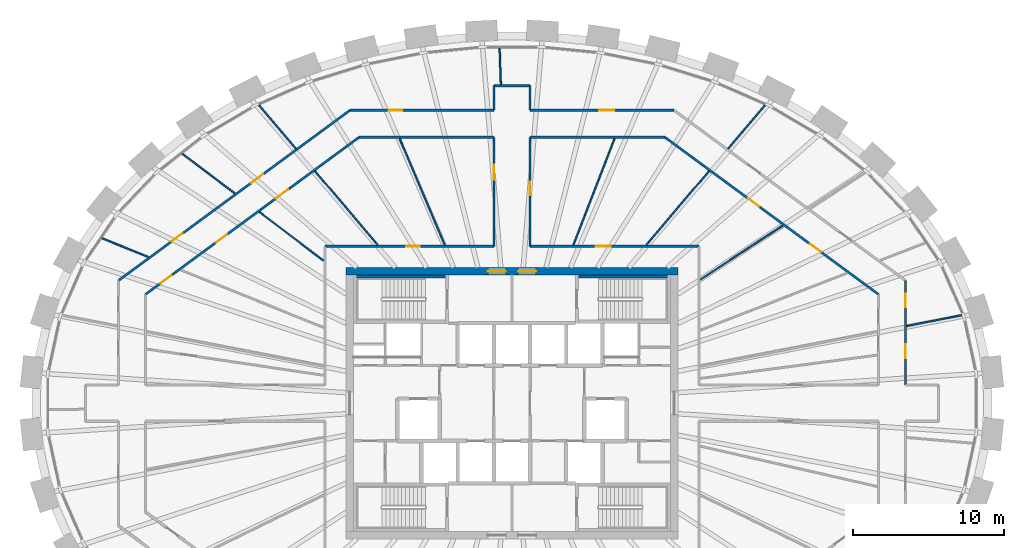
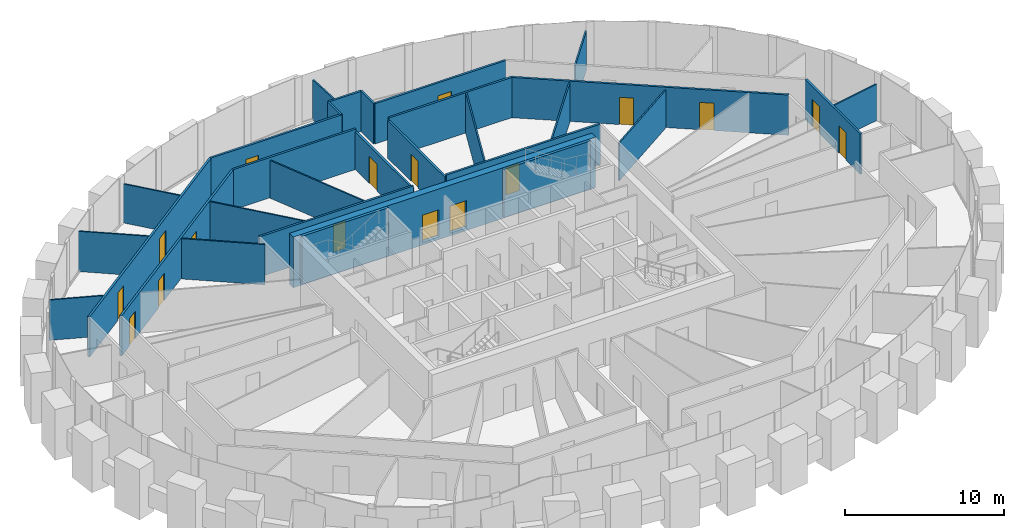
# One storey, part 10 of 12: 30 walls, 17 doors, 17 openings.
"""IFC4 building model written with IfcOpenShell, lengths in metres."""

from ifc_helpers import new_model, si_unit, direction, frame, frame_2d, origin, place, context, subcontext, project, spatial, rectangle, extrude, source, transform, mapped, material, layer, layer_set, type_object, element, fill, save


model = new_model("IFC4")

# Units and contexts
model_context = context("Model", 3, precision=1e-05, world=origin(), true_north=direction((0.0, 1.0)))
body_context = subcontext(model_context, "Body", "Model", "MODEL_VIEW")
ifc_project = project(units=[si_unit("LENGTHUNIT", "METRE"), si_unit("AREAUNIT", "SQUARE_METRE"), si_unit("VOLUMEUNIT", "CUBIC_METRE"), si_unit("PLANEANGLEUNIT", "RADIAN"), si_unit("MASSUNIT", "GRAM", prefix="KILO")], contexts=[model_context])

# Site, building, storey
site_placement = place(None, origin())
site = spatial("IfcSite", under=ifc_project, at=site_placement, CompositionType="ELEMENT")
building_placement = place(site_placement, origin())
building = spatial("IfcBuilding", under=site, at=building_placement, Name="Embergate Tower", CompositionType="ELEMENT")
storey_placement = place(building_placement, frame((0.0, 0.0, 281.199951171875)))
storey = spatial("IfcBuildingStorey", under=building, at=storey_placement, Name="L65", CompositionType="ELEMENT", Elevation=281.199951171875)

# Wall, openings, doors
ifc_material_1 = material(Name="Concrete C50", Category="concrete")
ifc_layer_1 = layer(ifc_material_1, 0.5)
ifc_layer_set_1 = layer_set([ifc_layer_1], Name="Concrete C50")
wall_type_1 = type_object("IfcWallType", Name="Core outer wall C50 500", PredefinedType="SHEAR", material=ifc_layer_set_1)
shared_shape_1 = source(origin(), body_context, "Body", "SweptSolid", [
    extrude(rectangle(XDim=22.0, YDim=0.5, at=frame_2d((11.0, 0.0))), origin(), (0.0, 0.0, 1.0), 3.89990234375),
])
wall_1_placement = place(storey_placement, frame((-11.0, 8.75, -0.199951171875), z_axis=(0.0, 0.0, 1.0), x_axis=(1.0, 0.0, 0.0)))
wall_1 = element("IfcWall", 1, at=wall_1_placement, inside=storey, type_object=wall_type_1, Name="CW-L65-N", PredefinedType="SHEAR", context=body_context, shape_type="MappedRepresentation", body=[
    mapped(shared_shape_1, transform((0.0, 0.0, 0.0))),
])
shared_shape_2 = source(origin(), body_context, "Body", "SweptSolid", [
    extrude(rectangle(XDim=1.199951171875, YDim=2.10009765625, at=frame_2d((0.60009765625, 1.050048828125))), frame((0.0, 0.260009765625, 0.0), z_axis=(0.0, -1.0, 0.0), x_axis=(1.0, 0.0, 0.0)), (0.0, 0.0, 1.0), 0.52001953125),
])
opening_1_placement = place(wall_1_placement, frame((9.39990234375, 0.0, 0.199951171875)))
opening_1 = element("IfcOpeningElement", 2, at=opening_1_placement, cuts=wall_1, Name="Opening IF-1", PredefinedType="OPENING", context=body_context, shape_type="MappedRepresentation", body=[
    mapped(shared_shape_2, transform((0.0, 0.0, 0.0))),
])
opening_2_placement = place(wall_1_placement, frame((11.39990234375, 0.0, 0.199951171875)))
opening_2 = element("IfcOpeningElement", 3, at=opening_2_placement, cuts=wall_1, Name="Opening IF-1", PredefinedType="OPENING", context=body_context, shape_type="MappedRepresentation", body=[
    mapped(shared_shape_2, transform((0.0, 0.0, 0.0))),
])
ifc_material_2 = material(Name="Escape fire door 1200")
door_type_1 = type_object("IfcDoorType", Name="Escape fire door 1200", OperationType="SINGLE_SWING_LEFT", PredefinedType="DOOR", material=ifc_material_2)
shared_shape_3 = source(origin(), body_context, "Body", "SweptSolid", [
    extrude(rectangle(XDim=1.199951171875, YDim=2.10009765625, at=frame_2d((0.60009765625, 1.050048828125))), frame((0.0, 0.02490234375, 0.0), z_axis=(0.0, -1.0, 0.0), x_axis=(1.0, 0.0, 0.0)), (0.0, 0.0, 1.0), 0.050048828125),
])
door_1_placement = place(opening_1_placement, origin())
door_1 = element("IfcDoor", 4, at=door_1_placement, inside=storey, type_object=door_type_1, Name="IF-1 door", OperationType="SINGLE_SWING_LEFT", OverallHeight=2.10009765625, OverallWidth=1.199951171875, PredefinedType="DOOR", context=body_context, shape_type="MappedRepresentation", body=[
    mapped(shared_shape_3, transform((0.0, 0.0, 0.0))),
])
fill(opening_1, door_1)
door_2_placement = place(opening_2_placement, origin())
door_2 = element("IfcDoor", 5, at=door_2_placement, inside=storey, type_object=door_type_1, Name="IF-1 door", OperationType="SINGLE_SWING_RIGHT", OverallHeight=2.10009765625, OverallWidth=1.199951171875, PredefinedType="DOOR", context=body_context, shape_type="MappedRepresentation", body=[
    mapped(shared_shape_3, transform((0.0, 0.0, 0.0))),
])
fill(opening_2, door_2)

# Walls
ifc_layer_2 = layer(ifc_material_1, 0.199951171875)
ifc_layer_set_2 = layer_set([ifc_layer_2], Name="Concrete C50")
wall_type_2 = type_object("IfcWallType", Name="Stair enclosure wall reinforced concrete 250", PredefinedType="SHEAR", material=ifc_layer_set_2)
shared_shape_4 = source(origin(), body_context, "Body", "SweptSolid", [
    extrude(rectangle(XDim=6.298095703125, YDim=0.199951171875, at=frame_2d((3.14892578125, 0.0))), origin(), (0.0, 0.0, 1.0), 3.699951171875),
])
for number, where, z_axis, x_axis, name in (
    (6, (-4.201904296875, 8.39990234375, 0.0), (0.0, 0.0, 1.0), (-1.0, 0.0, 0.0), "SE-1 wall"),
    (7, (10.5, 8.39990234375, 0.0), (0.0, 0.0, 1.0), (-1.0, 0.0, 0.0), "SE-1 wall"),
):
    element("IfcWall", number, at=place(storey_placement, frame(where, z_axis=z_axis, x_axis=x_axis)), inside=storey, type_object=wall_type_2, Name=name, PredefinedType="SHEAR", context=body_context, shape_type="MappedRepresentation", body=[
        mapped(shared_shape_4, transform((0.0, 0.0, 0.0))),
    ])

# Wall, opening, door
ifc_material_3 = material(Name="Corridor wall dry-lined 150 wet")
ifc_layer_3 = layer(ifc_material_3, 0.14990234375)
ifc_layer_set_3 = layer_set([ifc_layer_3], Name="Corridor wall dry-lined 150 wet")
wall_type_3 = type_object("IfcWallType", Name="Corridor wall dry-lined 150 wet", PredefinedType="PLUMBINGWALL", material=ifc_layer_set_3)
shared_shape_5 = source(origin(), body_context, "Body", "SweptSolid", [
    extrude(rectangle(XDim=11.199951171875, YDim=0.14990234375, at=frame_2d((5.60009765625, 0.0))), origin(), (0.0, 0.0, 1.0), 3.10009765625),
])
wall_2_placement = place(storey_placement, frame((12.39990234375, 10.39990234375, 0.0), z_axis=(0.0, 0.0, 1.0), x_axis=(-1.0, 0.0, 0.0)))
wall_2 = element("IfcWall", 8, at=wall_2_placement, inside=storey, type_object=wall_type_3, Name="IP-2 wall", PredefinedType="PLUMBINGWALL", context=body_context, shape_type="MappedRepresentation", body=[
    mapped(shared_shape_5, transform((0.0, 0.0, 0.0))),
])
shared_shape_6 = source(origin(), body_context, "Body", "SweptSolid", [
    extrude(rectangle(XDim=1.0, YDim=2.10009765625, at=frame_2d((0.5, 1.050048828125))), frame((0.0, 0.0849609375, 0.0), z_axis=(0.0, -1.0, 0.0), x_axis=(1.0, 0.0, 0.0)), (0.0, 0.0, 1.0), 0.169921875),
])
opening_3_placement = place(wall_2_placement, frame((5.85400390625, 0.0, 0.0)))
opening_3 = element("IfcOpeningElement", 9, at=opening_3_placement, cuts=wall_2, Name="Opening ID-2", PredefinedType="OPENING", context=body_context, shape_type="MappedRepresentation", body=[
    mapped(shared_shape_6, transform((0.0, 0.0, 0.0))),
])
ifc_material_4 = material(Name="Interior door 1000")
door_type_2 = type_object("IfcDoorType", Name="Interior door 1000", OperationType="SINGLE_SWING_LEFT", PredefinedType="DOOR", material=ifc_material_4)
shared_shape_7 = source(origin(), body_context, "Body", "SweptSolid", [
    extrude(rectangle(XDim=1.0, YDim=2.10009765625, at=frame_2d((0.5, 1.050048828125))), frame((0.0, 0.02490234375, 0.0), z_axis=(0.0, -1.0, 0.0), x_axis=(1.0, 0.0, 0.0)), (0.0, 0.0, 1.0), 0.050048828125),
])
door_3_placement = place(opening_3_placement, origin())
door_3 = element("IfcDoor", 10, at=door_3_placement, inside=storey, type_object=door_type_2, Name="ID-2 door", OperationType="SINGLE_SWING_RIGHT", OverallHeight=2.10009765625, OverallWidth=1.0, PredefinedType="DOOR", context=body_context, shape_type="MappedRepresentation", body=[
    mapped(shared_shape_7, transform((0.0, 0.0, 0.0))),
])
fill(opening_3, door_3)

ifc_material_5 = material(Name="Corridor wall dry-lined 150")
ifc_layer_4 = layer(ifc_material_5, 0.14990234375)
ifc_layer_set_4 = layer_set([ifc_layer_4], Name="Corridor wall dry-lined 150")
wall_type_4 = type_object("IfcWallType", Name="Corridor wall dry-lined 150", PredefinedType="PARTITIONING", material=ifc_layer_set_4)
wall_3_placement = place(storey_placement, frame((-12.39990234375, 10.39990234375, 0.0), z_axis=(0.0, 0.0, 1.0), x_axis=(1.0, 0.0, 0.0)))
wall_3 = element("IfcWall", 11, at=wall_3_placement, inside=storey, type_object=wall_type_4, Name="IP-2 wall", PredefinedType="PARTITIONING", context=body_context, shape_type="MappedRepresentation", body=[
    mapped(shared_shape_5, transform((0.0, 0.0, 0.0))),
])
shared_shape_8 = source(origin(), body_context, "Body", "SweptSolid", [
    extrude(rectangle(XDim=0.89990234375, YDim=2.10009765625, at=frame_2d((0.449951171875, 1.050048828125))), frame((0.0, 0.0849609375, 0.0), z_axis=(0.0, -1.0, 0.0), x_axis=(1.0, 0.0, 0.0)), (0.0, 0.0, 1.0), 0.169921875),
])
opening_4_placement = place(wall_3_placement, frame((5.386962890625, 0.0, 0.0)))
opening_4 = element("IfcOpeningElement", 12, at=opening_4_placement, cuts=wall_3, Name="Opening IF-1c", PredefinedType="OPENING", context=body_context, shape_type="MappedRepresentation", body=[
    mapped(shared_shape_8, transform((0.0, 0.0, 0.0))),
])
ifc_material_6 = material(Name="Escape fire door 900")
door_type_3 = type_object("IfcDoorType", Name="Escape fire door 900", OperationType="SINGLE_SWING_LEFT", PredefinedType="DOOR", material=ifc_material_6)
shared_shape_9 = source(origin(), body_context, "Body", "SweptSolid", [
    extrude(rectangle(XDim=0.89990234375, YDim=2.10009765625, at=frame_2d((0.449951171875, 1.050048828125))), frame((0.0, 0.02490234375, 0.0), z_axis=(0.0, -1.0, 0.0), x_axis=(1.0, 0.0, 0.0)), (0.0, 0.0, 1.0), 0.050048828125),
])
door_4_placement = place(opening_4_placement, origin())
door_4 = element("IfcDoor", 13, at=door_4_placement, inside=storey, type_object=door_type_3, Name="IF-1 door", OperationType="SINGLE_SWING_RIGHT", OverallHeight=2.10009765625, OverallWidth=0.89990234375, PredefinedType="DOOR", context=body_context, shape_type="MappedRepresentation", body=[
    mapped(shared_shape_9, transform((0.0, 0.0, 0.0))),
])
fill(opening_4, door_4)

# Wall
shared_shape_10 = source(origin(), body_context, "Body", "SweptSolid", [
    extrude(rectangle(XDim=2.39990234375, YDim=0.14990234375, at=frame_2d((1.199951171875, 0.0))), origin(), (0.0, 0.0, 1.0), 3.10009765625),
])
wall_4_placement = place(storey_placement, frame((1.199951171875, 21.055908203125, 0.0), z_axis=(0.0, 0.0, 1.0), x_axis=(-1.0, 0.0, 0.0)))
element("IfcWall", 14, at=wall_4_placement, inside=storey, type_object=wall_type_4, Name="IP-2 wall", PredefinedType="PARTITIONING", context=body_context, shape_type="MappedRepresentation", body=[
    mapped(shared_shape_10, transform((0.0, 0.0, 0.0))),
])

# Wall, openings, doors
shared_shape_11 = source(origin(), body_context, "Body", "SweptSolid", [
    extrude(rectangle(XDim=19.072265625, YDim=0.14990234375, at=frame_2d((9.5361328125, 0.0))), origin(), (0.0, 0.0, 1.0), 3.10009765625),
])
wall_5_placement = place(storey_placement, frame((-10.73193359375, 19.428955078125, 0.0), z_axis=(0.0, 0.0, 1.0), x_axis=(-0.805618847725, -0.592434192287, 0.0)))
wall_5 = element("IfcWall", 15, at=wall_5_placement, inside=storey, type_object=wall_type_4, Name="IP-2 wall", PredefinedType="PARTITIONING", context=body_context, shape_type="MappedRepresentation", body=[
    mapped(shared_shape_11, transform((0.0, 0.0, 0.0))),
])
opening_5_placement = place(wall_5_placement, frame((7.153564453125, 0.0, 0.0)))
opening_5 = element("IfcOpeningElement", 16, at=opening_5_placement, cuts=wall_5, Name="Opening ID-2", PredefinedType="OPENING", context=body_context, shape_type="MappedRepresentation", body=[
    mapped(shared_shape_6, transform((0.0, 0.0, 0.0))),
])
opening_6_placement = place(wall_5_placement, frame((13.7861328125, 0.0, 0.0)))
opening_6 = element("IfcOpeningElement", 17, at=opening_6_placement, cuts=wall_5, Name="Opening IF-1c", PredefinedType="OPENING", context=body_context, shape_type="MappedRepresentation", body=[
    mapped(shared_shape_8, transform((0.0, 0.0, 0.0))),
])
door_5_placement = place(opening_6_placement, origin())
door_5 = element("IfcDoor", 18, at=door_5_placement, inside=storey, type_object=door_type_3, Name="IF-1 door", OperationType="SINGLE_SWING_LEFT", OverallHeight=2.10009765625, OverallWidth=0.89990234375, PredefinedType="DOOR", context=body_context, shape_type="MappedRepresentation", body=[
    mapped(shared_shape_9, transform((0.0, 0.0, 0.0))),
])
fill(opening_6, door_5)
door_6_placement = place(opening_5_placement, origin())
door_6 = element("IfcDoor", 19, at=door_6_placement, inside=storey, type_object=door_type_2, Name="ID-2 door", OperationType="SINGLE_SWING_LEFT", OverallHeight=2.10009765625, OverallWidth=1.0, PredefinedType="DOOR", context=body_context, shape_type="MappedRepresentation", body=[
    mapped(shared_shape_7, transform((0.0, 0.0, 0.0))),
])
fill(opening_5, door_6)

# Wall, opening, door
shared_shape_12 = source(origin(), body_context, "Body", "SweptSolid", [
    extrude(rectangle(XDim=9.531982421875, YDim=0.14990234375, at=frame_2d((4.76611328125, 0.0))), origin(), (0.0, 0.0, 1.0), 3.10009765625),
])
wall_6_placement = place(storey_placement, frame((10.73193359375, 19.428955078125, 0.0), z_axis=(0.0, 0.0, 1.0), x_axis=(-1.0, 0.0, 0.0)))
wall_6 = element("IfcWall", 20, at=wall_6_placement, inside=storey, type_object=wall_type_4, Name="IP-2 wall", PredefinedType="PARTITIONING", context=body_context, shape_type="MappedRepresentation", body=[
    mapped(shared_shape_12, transform((0.0, 0.0, 0.0))),
])
opening_7_placement = place(wall_6_placement, frame((3.94921875, 0.0, 0.0)))
opening_7 = element("IfcOpeningElement", 21, at=opening_7_placement, cuts=wall_6, Name="Opening ID-2", PredefinedType="OPENING", context=body_context, shape_type="MappedRepresentation", body=[
    mapped(shared_shape_6, transform((0.0, 0.0, 0.0))),
])
door_7_placement = place(opening_7_placement, origin())
door_7 = element("IfcDoor", 22, at=door_7_placement, inside=storey, type_object=door_type_2, Name="ID-2 door", OperationType="SINGLE_SWING_LEFT", OverallHeight=2.10009765625, OverallWidth=1.0, PredefinedType="DOOR", context=body_context, shape_type="MappedRepresentation", body=[
    mapped(shared_shape_7, transform((0.0, 0.0, 0.0))),
])
fill(opening_7, door_7)

wall_7_placement = place(storey_placement, frame((-1.199951171875, 19.428955078125, 0.0), z_axis=(0.0, 0.0, 1.0), x_axis=(-1.0, 0.0, 0.0)))
wall_7 = element("IfcWall", 23, at=wall_7_placement, inside=storey, type_object=wall_type_4, Name="IP-2 wall", PredefinedType="PARTITIONING", context=body_context, shape_type="MappedRepresentation", body=[
    mapped(shared_shape_12, transform((0.0, 0.0, 0.0))),
])
opening_8_placement = place(wall_7_placement, frame((6.0830078125, 0.0, 0.0)))
opening_8 = element("IfcOpeningElement", 24, at=opening_8_placement, cuts=wall_7, Name="Opening IF-1c", PredefinedType="OPENING", context=body_context, shape_type="MappedRepresentation", body=[
    mapped(shared_shape_8, transform((0.0, 0.0, 0.0))),
])
door_8_placement = place(opening_8_placement, origin())
door_8 = element("IfcDoor", 25, at=door_8_placement, inside=storey, type_object=door_type_3, Name="IF-1 door", OperationType="SINGLE_SWING_LEFT", OverallHeight=2.10009765625, OverallWidth=0.89990234375, PredefinedType="DOOR", context=body_context, shape_type="MappedRepresentation", body=[
    mapped(shared_shape_9, transform((0.0, 0.0, 0.0))),
])
fill(opening_8, door_8)

# Wall, openings, doors
shared_shape_13 = source(origin(), body_context, "Body", "SweptSolid", [
    extrude(rectangle(XDim=17.570068359375, YDim=0.14990234375, at=frame_2d((8.78515625, 0.0))), origin(), (0.0, 0.0, 1.0), 3.10009765625),
])
wall_8_placement = place(storey_placement, frame((10.14208984375, 17.62890625, 0.0), z_axis=(0.0, 0.0, 1.0), x_axis=(0.805628581617, -0.592420955471, 0.0)))
wall_8 = element("IfcWall", 26, at=wall_8_placement, inside=storey, type_object=wall_type_3, Name="IP-2 wall", PredefinedType="PLUMBINGWALL", context=body_context, shape_type="MappedRepresentation", body=[
    mapped(shared_shape_13, transform((0.0, 0.0, 0.0))),
])
opening_9_placement = place(wall_8_placement, frame((11.933349609375, 0.0, 0.0)))
opening_9 = element("IfcOpeningElement", 27, at=opening_9_placement, cuts=wall_8, Name="Opening IF-1c", PredefinedType="OPENING", context=body_context, shape_type="MappedRepresentation", body=[
    mapped(shared_shape_8, transform((0.0, 0.0, 0.0))),
])
opening_10_placement = place(wall_8_placement, frame((6.839111328125, 0.0, 0.0)))
opening_10 = element("IfcOpeningElement", 28, at=opening_10_placement, cuts=wall_8, Name="Opening IF-1c", PredefinedType="OPENING", context=body_context, shape_type="MappedRepresentation", body=[
    mapped(shared_shape_8, transform((0.0, 0.0, 0.0))),
])
door_9_placement = place(opening_9_placement, origin())
door_9 = element("IfcDoor", 29, at=door_9_placement, inside=storey, type_object=door_type_3, Name="IF-1 door", OperationType="SINGLE_SWING_LEFT", OverallHeight=2.10009765625, OverallWidth=0.89990234375, PredefinedType="DOOR", context=body_context, shape_type="MappedRepresentation", body=[
    mapped(shared_shape_9, transform((0.0, 0.0, 0.0))),
])
fill(opening_9, door_9)
door_10_placement = place(opening_10_placement, origin())
door_10 = element("IfcDoor", 30, at=door_10_placement, inside=storey, type_object=door_type_3, Name="IF-1 door", OperationType="SINGLE_SWING_LEFT", OverallHeight=2.10009765625, OverallWidth=0.89990234375, PredefinedType="DOOR", context=body_context, shape_type="MappedRepresentation", body=[
    mapped(shared_shape_9, transform((0.0, 0.0, 0.0))),
])
fill(opening_10, door_10)

wall_9_placement = place(storey_placement, frame((-24.297119140625, 7.219970703125, 0.0), z_axis=(0.0, 0.0, 1.0), x_axis=(0.805628581617, 0.592420955471, 0.0)))
wall_9 = element("IfcWall", 31, at=wall_9_placement, inside=storey, type_object=wall_type_4, Name="IP-2 wall", PredefinedType="PARTITIONING", context=body_context, shape_type="MappedRepresentation", body=[
    mapped(shared_shape_13, transform((0.0, 0.0, 0.0))),
])
opening_11_placement = place(wall_9_placement, frame((10.72998046875, 0.0, 0.0)))
opening_11 = element("IfcOpeningElement", 32, at=opening_11_placement, cuts=wall_9, Name="Opening ID-2", PredefinedType="OPENING", context=body_context, shape_type="MappedRepresentation", body=[
    mapped(shared_shape_6, transform((0.0, 0.0, 0.0))),
])
opening_12_placement = place(wall_9_placement, frame((5.787353515625, 0.0, 0.0)))
opening_12 = element("IfcOpeningElement", 33, at=opening_12_placement, cuts=wall_9, Name="Opening IF-1c", PredefinedType="OPENING", context=body_context, shape_type="MappedRepresentation", body=[
    mapped(shared_shape_8, transform((0.0, 0.0, 0.0))),
])
opening_13_placement = place(wall_9_placement, frame((1.226806640625, 0.0, 0.0)))
opening_13 = element("IfcOpeningElement", 34, at=opening_13_placement, cuts=wall_9, Name="Opening IF-1c", PredefinedType="OPENING", context=body_context, shape_type="MappedRepresentation", body=[
    mapped(shared_shape_8, transform((0.0, 0.0, 0.0))),
])
door_11_placement = place(opening_12_placement, origin())
door_11 = element("IfcDoor", 35, at=door_11_placement, inside=storey, type_object=door_type_3, Name="IF-1 door", OperationType="SINGLE_SWING_RIGHT", OverallHeight=2.10009765625, OverallWidth=0.89990234375, PredefinedType="DOOR", context=body_context, shape_type="MappedRepresentation", body=[
    mapped(shared_shape_9, transform((0.0, 0.0, 0.0))),
])
fill(opening_12, door_11)
door_12_placement = place(opening_13_placement, origin())
door_12 = element("IfcDoor", 36, at=door_12_placement, inside=storey, type_object=door_type_3, Name="IF-1 door", OperationType="SINGLE_SWING_RIGHT", OverallHeight=2.10009765625, OverallWidth=0.89990234375, PredefinedType="DOOR", context=body_context, shape_type="MappedRepresentation", body=[
    mapped(shared_shape_9, transform((0.0, 0.0, 0.0))),
])
fill(opening_13, door_12)
door_13_placement = place(opening_11_placement, origin())
door_13 = element("IfcDoor", 37, at=door_13_placement, inside=storey, type_object=door_type_2, Name="ID-2 door", OperationType="SINGLE_SWING_RIGHT", OverallHeight=2.10009765625, OverallWidth=1.0, PredefinedType="DOOR", context=body_context, shape_type="MappedRepresentation", body=[
    mapped(shared_shape_7, transform((0.0, 0.0, 0.0))),
])
fill(opening_11, door_13)

# Walls
shared_shape_14 = source(origin(), body_context, "Body", "SweptSolid", [
    extrude(rectangle(XDim=8.942138671875, YDim=0.14990234375, at=frame_2d((4.47119140625, 0.0))), origin(), (0.0, 0.0, 1.0), 3.10009765625),
])
for number, where, z_axis, x_axis, name in (
    (38, (-1.199951171875, 17.62890625, 0.0), (0.0, 0.0, 1.0), (-1.0, 0.0, 0.0), "IP-2 wall"),
    (39, (1.199951171875, 17.62890625, 0.0), (0.0, 0.0, 1.0), (1.0, 0.0, 0.0), "IP-2 wall"),
):
    element("IfcWall", number, at=place(storey_placement, frame(where, z_axis=z_axis, x_axis=x_axis)), inside=storey, type_object=wall_type_4, Name=name, PredefinedType="PARTITIONING", context=body_context, shape_type="MappedRepresentation", body=[
        mapped(shared_shape_14, transform((0.0, 0.0, 0.0))),
    ])
shared_shape_15 = source(origin(), body_context, "Body", "SweptSolid", [
    extrude(rectangle(XDim=1.626953125, YDim=0.14990234375, at=frame_2d((0.8134765625, 0.0))), origin(), (0.0, 0.0, 1.0), 3.10009765625),
])
for number, where, z_axis, x_axis, name in (
    (40, (1.199951171875, 19.428955078125, 0.0), (0.0, 0.0, 1.0), (0.0, 1.0, 0.0), "IP-2 wall"),
    (41, (-1.199951171875, 21.055908203125, 0.0), (0.0, 0.0, 1.0), (0.0, -1.0, 0.0), "IP-2 wall"),
):
    element("IfcWall", number, at=place(storey_placement, frame(where, z_axis=z_axis, x_axis=x_axis)), inside=storey, type_object=wall_type_4, Name=name, PredefinedType="PARTITIONING", context=body_context, shape_type="MappedRepresentation", body=[
        mapped(shared_shape_15, transform((0.0, 0.0, 0.0))),
    ])

# Wall, opening, door
shared_shape_16 = source(origin(), body_context, "Body", "SweptSolid", [
    extrude(rectangle(XDim=7.22900390625, YDim=0.14990234375, at=frame_2d((3.614501953125, 0.0))), origin(), (0.0, 0.0, 1.0), 2.900146484375),
])
wall_10_placement = place(storey_placement, frame((-1.199951171875, 10.39990234375, 0.0), z_axis=(0.0, 0.0, 1.0), x_axis=(0.0, 1.0, 0.0)))
wall_10 = element("IfcWall", 42, at=wall_10_placement, inside=storey, type_object=wall_type_4, Name="IP-2 wall", PredefinedType="PARTITIONING", context=body_context, shape_type="MappedRepresentation", body=[
    mapped(shared_shape_16, transform((0.0, 0.0, 0.0))),
])
opening_14_placement = place(wall_10_placement, frame((4.408935546875, 0.0, 0.0)))
opening_14 = element("IfcOpeningElement", 43, at=opening_14_placement, cuts=wall_10, Name="Opening ID-2", PredefinedType="OPENING", context=body_context, shape_type="MappedRepresentation", body=[
    mapped(shared_shape_6, transform((0.0, 0.0, 0.0))),
])
door_14_placement = place(opening_14_placement, origin())
door_14 = element("IfcDoor", 44, at=door_14_placement, inside=storey, type_object=door_type_2, Name="ID-2 door", OperationType="SINGLE_SWING_RIGHT", OverallHeight=2.10009765625, OverallWidth=1.0, PredefinedType="DOOR", context=body_context, shape_type="MappedRepresentation", body=[
    mapped(shared_shape_7, transform((0.0, 0.0, 0.0))),
])
fill(opening_14, door_14)

wall_11_placement = place(storey_placement, frame((1.199951171875, 17.62890625, 0.0), z_axis=(0.0, 0.0, 1.0), x_axis=(0.0, -1.0, 0.0)))
wall_11 = element("IfcWall", 45, at=wall_11_placement, inside=storey, type_object=wall_type_4, Name="IP-2 wall", PredefinedType="PARTITIONING", context=body_context, shape_type="MappedRepresentation", body=[
    mapped(shared_shape_16, transform((0.0, 0.0, 0.0))),
])
opening_15_placement = place(wall_11_placement, frame((2.935302734375, 0.0, 0.0)))
opening_15 = element("IfcOpeningElement", 46, at=opening_15_placement, cuts=wall_11, Name="Opening IF-1c", PredefinedType="OPENING", context=body_context, shape_type="MappedRepresentation", body=[
    mapped(shared_shape_8, transform((0.0, 0.0, 0.0))),
])
door_15_placement = place(opening_15_placement, origin())
door_15 = element("IfcDoor", 47, at=door_15_placement, inside=storey, type_object=door_type_3, Name="IF-1 door", OperationType="SINGLE_SWING_RIGHT", OverallHeight=2.10009765625, OverallWidth=0.89990234375, PredefinedType="DOOR", context=body_context, shape_type="MappedRepresentation", body=[
    mapped(shared_shape_9, transform((0.0, 0.0, 0.0))),
])
fill(opening_15, door_15)

# Wall, openings, doors
shared_shape_17 = source(origin(), body_context, "Body", "SweptSolid", [
    extrude(rectangle(XDim=6.929931640625, YDim=0.14990234375, at=frame_2d((3.46484375, 0.0))), origin(), (0.0, 0.0, 1.0), 3.10009765625),
])
wall_12_placement = place(storey_placement, frame((26.096923828125, 1.199951171875, 0.0), z_axis=(0.0, 0.0, 1.0), x_axis=(0.0, 1.0, 0.0)))
wall_12 = element("IfcWall", 48, at=wall_12_placement, inside=storey, type_object=wall_type_4, Name="IP-2 wall", PredefinedType="PARTITIONING", context=body_context, shape_type="MappedRepresentation", body=[
    mapped(shared_shape_17, transform((0.0, 0.0, 0.0))),
])
opening_16_placement = place(wall_12_placement, frame((1.7939453125, 0.0, 0.0)))
opening_16 = element("IfcOpeningElement", 49, at=opening_16_placement, cuts=wall_12, Name="Opening IF-1c", PredefinedType="OPENING", context=body_context, shape_type="MappedRepresentation", body=[
    mapped(shared_shape_8, transform((0.0, 0.0, 0.0))),
])
opening_17_placement = place(wall_12_placement, frame((5.14990234375, 0.0, 0.0)))
opening_17 = element("IfcOpeningElement", 50, at=opening_17_placement, cuts=wall_12, Name="Opening IF-1c", PredefinedType="OPENING", context=body_context, shape_type="MappedRepresentation", body=[
    mapped(shared_shape_8, transform((0.0, 0.0, 0.0))),
])
door_16_placement = place(opening_16_placement, origin())
door_16 = element("IfcDoor", 51, at=door_16_placement, inside=storey, type_object=door_type_3, Name="IF-1 door", OperationType="SINGLE_SWING_RIGHT", OverallHeight=2.10009765625, OverallWidth=0.89990234375, PredefinedType="DOOR", context=body_context, shape_type="MappedRepresentation", body=[
    mapped(shared_shape_9, transform((0.0, 0.0, 0.0))),
])
fill(opening_16, door_16)
door_17_placement = place(opening_17_placement, origin())
door_17 = element("IfcDoor", 52, at=door_17_placement, inside=storey, type_object=door_type_3, Name="IF-1 door", OperationType="SINGLE_SWING_LEFT", OverallHeight=2.10009765625, OverallWidth=0.89990234375, PredefinedType="DOOR", context=body_context, shape_type="MappedRepresentation", body=[
    mapped(shared_shape_9, transform((0.0, 0.0, 0.0))),
])
fill(opening_17, door_17)

# Walls
ifc_material_7 = material(Name="Partition dry-lined 100 wet")
ifc_layer_5 = layer(ifc_material_7, 0.10009765625)
ifc_layer_set_5 = layer_set([ifc_layer_5], Name="Partition dry-lined 100 wet")
wall_type_5 = type_object("IfcWallType", Name="Partition dry-lined 100 wet", PredefinedType="PLUMBINGWALL", material=ifc_layer_set_5)
shared_shape_18 = source(origin(), body_context, "Body", "SweptSolid", [
    extrude(rectangle(XDim=3.796630859375, YDim=0.10009765625, at=frame_2d((1.8984375, 0.0))), origin(), (0.0, 0.0, 1.0), 2.800048828125),
])
wall_13_placement = place(storey_placement, frame((26.181884765625, 5.123046875, 0.0), z_axis=(0.0, 0.0, 1.0), x_axis=(0.981393181691, 0.192008913676, 0.0)))
element("IfcWall", 53, at=wall_13_placement, inside=storey, type_object=wall_type_5, Name="IP-1 wall", PredefinedType="PLUMBINGWALL", context=body_context, shape_type="MappedRepresentation", body=[
    mapped(shared_shape_18, transform((0.0, 0.0, 0.0))),
])
shared_shape_19 = source(origin(), body_context, "Body", "SweptSolid", [
    extrude(rectangle(XDim=3.864990234375, YDim=0.10009765625, at=frame_2d((1.9326171875, 0.0))), origin(), (0.0, 0.0, 1.0), 3.0),
])
wall_14_placement = place(storey_placement, frame((14.323974609375, 16.881103515625, 0.0), z_axis=(0.0, 0.0, 1.0), x_axis=(0.647079831122, 0.762422253187, 0.0)))
element("IfcWall", 54, at=wall_14_placement, inside=storey, type_object=wall_type_5, Name="IP-1 wall", PredefinedType="PLUMBINGWALL", context=body_context, shape_type="MappedRepresentation", body=[
    mapped(shared_shape_19, transform((0.0, 0.0, 0.0))),
])
ifc_material_8 = material(Name="Partition dry-lined 100")
ifc_layer_6 = layer(ifc_material_8, 0.10009765625)
ifc_layer_set_6 = layer_set([ifc_layer_6], Name="Partition dry-lined 100")
wall_type_6 = type_object("IfcWallType", Name="Partition dry-lined 100", PredefinedType="PARTITIONING", material=ifc_layer_set_6)
wall_15_placement = place(storey_placement, frame((-14.323974609375, 16.881103515625, 0.0), z_axis=(0.0, 0.0, 1.0), x_axis=(-0.647079831122, 0.762422253187, 0.0)))
element("IfcWall", 55, at=wall_15_placement, inside=storey, type_object=wall_type_6, Name="IP-1 wall", PredefinedType="PARTITIONING", context=body_context, shape_type="MappedRepresentation", body=[
    mapped(shared_shape_19, transform((0.0, 0.0, 0.0))),
])
shared_shape_20 = source(origin(), body_context, "Body", "SweptSolid", [
    extrude(rectangle(XDim=6.510498046875, YDim=0.10009765625, at=frame_2d((3.25537109375, 0.0))), origin(), (0.0, 0.0, 1.0), 2.900146484375),
])
wall_16_placement = place(storey_placement, frame((12.501953125, 8.2041015625, 0.0), z_axis=(0.0, 0.0, 1.0), x_axis=(0.836066724434, 0.548627772077, 0.0)))
element("IfcWall", 56, at=wall_16_placement, inside=storey, type_object=wall_type_5, Name="IP-1 wall", PredefinedType="PLUMBINGWALL", context=body_context, shape_type="MappedRepresentation", body=[
    mapped(shared_shape_20, transform((0.0, 0.0, 0.0))),
])
shared_shape_21 = source(origin(), body_context, "Body", "SweptSolid", [
    extrude(rectangle(XDim=6.4052734375, YDim=0.10009765625, at=frame_2d((3.20263671875, 0.0))), origin(), (0.0, 0.0, 1.0), 3.0),
])
wall_17_placement = place(storey_placement, frame((8.916015625, 10.507080078125, 0.0), z_axis=(0.0, 0.0, 1.0), x_axis=(0.646978791305, 0.762507995762, 0.0)))
element("IfcWall", 57, at=wall_17_placement, inside=storey, type_object=wall_type_5, Name="IP-1 wall", PredefinedType="PLUMBINGWALL", context=body_context, shape_type="MappedRepresentation", body=[
    mapped(shared_shape_21, transform((0.0, 0.0, 0.0))),
])
wall_18_placement = place(storey_placement, frame((-8.916015625, 10.507080078125, 0.0), z_axis=(0.0, 0.0, 1.0), x_axis=(-0.646978791305, 0.762507995762, 0.0)))
element("IfcWall", 58, at=wall_18_placement, inside=storey, type_object=wall_type_6, Name="IP-1 wall", PredefinedType="PARTITIONING", context=body_context, shape_type="MappedRepresentation", body=[
    mapped(shared_shape_21, transform((0.0, 0.0, 0.0))),
])
shared_shape_22 = source(origin(), body_context, "Body", "SweptSolid", [
    extrude(rectangle(XDim=2.515380859375, YDim=0.10009765625, at=frame_2d((1.2578125, 0.0))), origin(), (0.0, 0.0, 1.0), 3.10009765625),
])
wall_19_placement = place(storey_placement, frame((-0.739013671875, 21.131103515625, 0.0), z_axis=(0.0, 0.0, 1.0), x_axis=(-0.034552532421, 0.999402882977, 0.0)))
element("IfcWall", 59, at=wall_19_placement, inside=storey, type_object=wall_type_6, Name="IP-1 wall", PredefinedType="PARTITIONING", context=body_context, shape_type="MappedRepresentation", body=[
    mapped(shared_shape_22, transform((0.0, 0.0, 0.0))),
])
shared_shape_23 = source(origin(), body_context, "Body", "SweptSolid", [
    extrude(rectangle(XDim=7.64794921875, YDim=0.10009765625, at=frame_2d((3.823974609375, 0.0))), origin(), (0.0, 0.0, 1.0), 2.900146484375),
])
wall_20_placement = place(storey_placement, frame((-4.45703125, 10.4951171875, 0.0), z_axis=(0.0, 0.0, 1.0), x_axis=(-0.390819538902, 0.920467320448, 0.0)))
element("IfcWall", 60, at=wall_20_placement, inside=storey, type_object=wall_type_6, Name="IP-1 wall", PredefinedType="PARTITIONING", context=body_context, shape_type="MappedRepresentation", body=[
    mapped(shared_shape_23, transform((0.0, 0.0, 0.0))),
])
shared_shape_24 = source(origin(), body_context, "Body", "SweptSolid", [
    extrude(rectangle(XDim=7.55419921875, YDim=0.10009765625, at=frame_2d((3.777099609375, 0.0))), origin(), (0.0, 0.0, 1.0), 3.10009765625),
])
wall_21_placement = place(storey_placement, frame((4.070068359375, 10.492919921875, 0.0), z_axis=(0.0, 0.0, 1.0), x_axis=(0.361641375272, 0.932317282738, 0.0)))
element("IfcWall", 61, at=wall_21_placement, inside=storey, type_object=wall_type_6, Name="IP-1 wall", PredefinedType="PARTITIONING", context=body_context, shape_type="MappedRepresentation", body=[
    mapped(shared_shape_24, transform((0.0, 0.0, 0.0))),
])
shared_shape_25 = source(origin(), body_context, "Body", "SweptSolid", [
    extrude(rectangle(XDim=4.4794921875, YDim=0.10009765625, at=frame_2d((2.23974609375, 0.0))), origin(), (0.0, 0.0, 1.0), 3.10009765625),
])
wall_22_placement = place(storey_placement, frame((-18.384033203125, 13.9140625, 0.0), z_axis=(0.0, 0.0, 1.0), x_axis=(-0.797435446268, 0.603404266669, 0.0)))
element("IfcWall", 62, at=wall_22_placement, inside=storey, type_object=wall_type_6, Name="IP-1 wall", PredefinedType="PARTITIONING", context=body_context, shape_type="MappedRepresentation", body=[
    mapped(shared_shape_25, transform((0.0, 0.0, 0.0))),
])
shared_shape_26 = source(origin(), body_context, "Body", "SweptSolid", [
    extrude(rectangle(XDim=3.44482421875, YDim=0.10009765625, at=frame_2d((1.722412109375, 0.0))), origin(), (0.0, 0.0, 1.0), 3.10009765625),
])
wall_23_placement = place(storey_placement, frame((-24.1298828125, 9.702880859375, 0.0), z_axis=(0.0, 0.0, 1.0), x_axis=(-0.92780064252, 0.373076356445, 0.0)))
element("IfcWall", 63, at=wall_23_placement, inside=storey, type_object=wall_type_6, Name="IP-1 wall", PredefinedType="PARTITIONING", context=body_context, shape_type="MappedRepresentation", body=[
    mapped(shared_shape_26, transform((0.0, 0.0, 0.0))),
])
shared_shape_27 = source(origin(), body_context, "Body", "SweptSolid", [
    extrude(rectangle(XDim=5.308837890625, YDim=0.10009765625, at=frame_2d((2.654296875, 0.0))), origin(), (0.0, 0.0, 1.0), 3.10009765625),
])
wall_24_placement = place(storey_placement, frame((-12.5048828125, 9.464111328125, 0.0), z_axis=(0.0, 0.0, 1.0), x_axis=(-0.797371098237, 0.603489297085, 0.0)))
element("IfcWall", 64, at=wall_24_placement, inside=storey, type_object=wall_type_6, Name="IP-1 wall", PredefinedType="PARTITIONING", context=body_context, shape_type="MappedRepresentation", body=[
    mapped(shared_shape_27, transform((0.0, 0.0, 0.0))),
])

save(model, "model.ifc")
